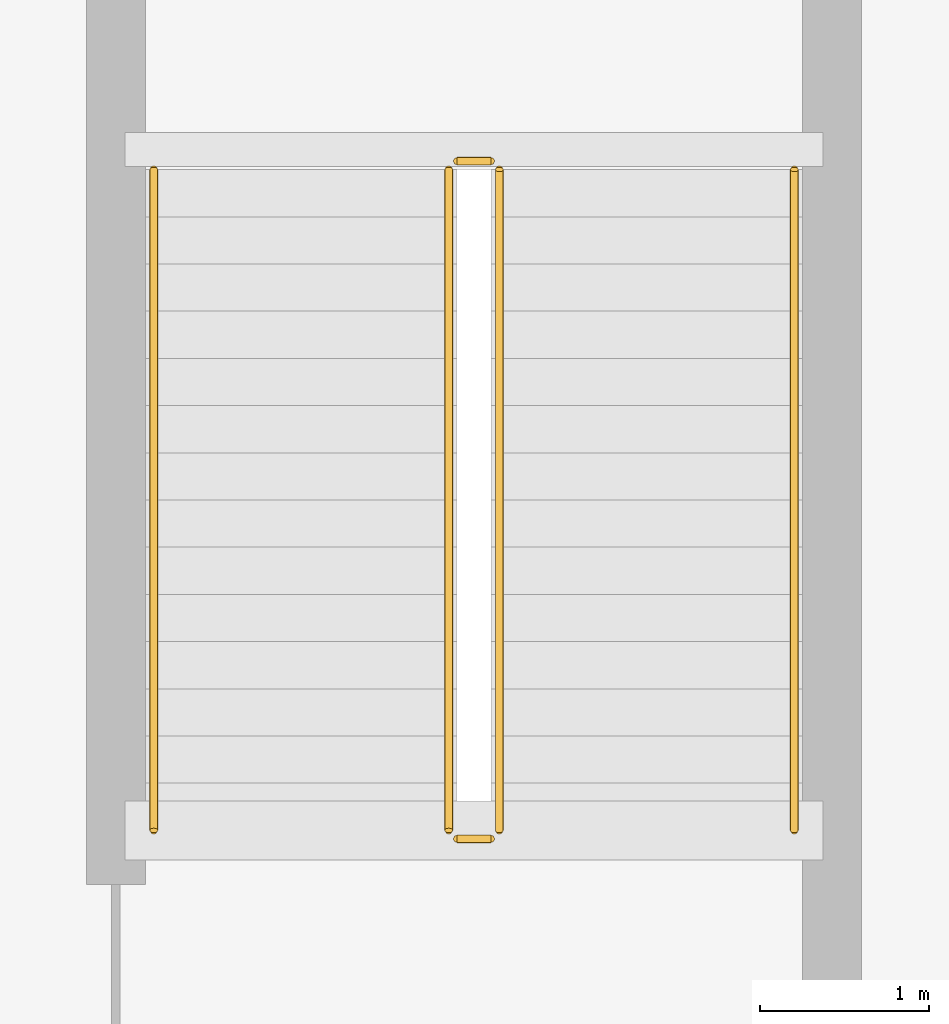
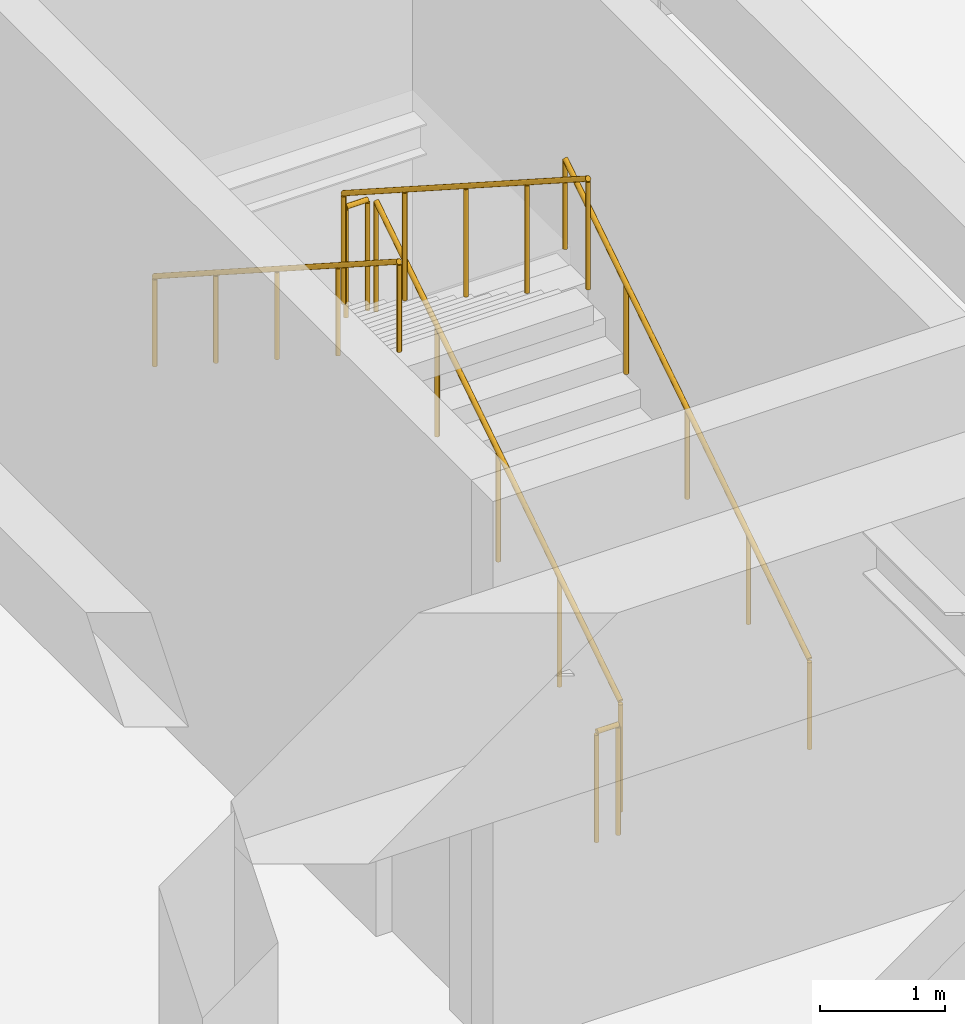
# One storey, part 91 of 91: 6 railings.
"""IFC4 building model written with IfcOpenShell, lengths in metres."""

from ifc_helpers import new_model, si_unit, direction, frame, origin, origin_2d, place, context, subcontext, project, spatial, circle, extrude, material, type_object, element, save


model = new_model("IFC4")

# Units and contexts
model_context = context("Model", 3, precision=1e-05, world=origin(), true_north=direction((0.0, 1.0)))
body_context = subcontext(model_context, "Body", "Model", "MODEL_VIEW")
ifc_project = project(units=[si_unit("LENGTHUNIT", "METRE"), si_unit("AREAUNIT", "SQUARE_METRE"), si_unit("VOLUMEUNIT", "CUBIC_METRE"), si_unit("PLANEANGLEUNIT", "RADIAN"), si_unit("MASSUNIT", "GRAM", prefix="KILO")], contexts=[model_context])

# Site, building, storey
site_placement = place(None, origin())
site = spatial("IfcSite", under=ifc_project, at=site_placement, CompositionType="ELEMENT")
building_placement = place(site_placement, origin())
building = spatial("IfcBuilding", under=site, at=building_placement, Name="Vaelkrest Opera House", CompositionType="ELEMENT")
storey_placement = place(building_placement, origin())
storey = spatial("IfcBuildingStorey", under=building, at=storey_placement, Name="L00", CompositionType="ELEMENT", Elevation=0.0)

# Railings
ifc_material = material(Name="Dark bronze anodized aluminium", Category="aluminium")
railing_type_1 = type_object("IfcRailingType", Name="GR02", PredefinedType="GUARDRAIL", material=ifc_material)
railing_1_placement = place(storey_placement, frame((74.39990234375, -16.550048828125, 0.179931640625)))
element("IfcRailing", 1, at=railing_1_placement, inside=storey, type_object=railing_type_1, Name="L00 ST10 stair guard 1", PredefinedType="GUARDRAIL", context=body_context, shape_type="SweptSolid", body=[
    extrude(circle(Radius=0.02392578125, at=origin_2d()), frame((0.0, 0.0, 1.076171875), z_axis=(0.0, 0.841186985886, 0.540744352514), x_axis=(-1.0, 0.0, 0.0)), (0.0, 0.0, 1.0), 4.660400390625),
    extrude(circle(Radius=0.02099609375, at=origin_2d()), origin(), (0.0, 0.0, 1.0), 1.052001953125),
    extrude(circle(Radius=0.02099609375, at=origin_2d()), frame((0.0, 0.97998046875, 0.6298828125)), (0.0, 0.0, 1.0), 1.052001953125),
    extrude(circle(Radius=0.02099609375, at=origin_2d()), frame((0.0, 1.9599609375, 1.260009765625)), (0.0, 0.0, 1.0), 1.052001953125),
    extrude(circle(Radius=0.02099609375, at=origin_2d()), frame((0.0, 2.940185546875, 1.89013671875)), (0.0, 0.0, 1.0), 1.052001953125),
    extrude(circle(Radius=0.02099609375, at=origin_2d()), frame((0.0, 3.920166015625, 2.52001953125)), (0.0, 0.0, 1.0), 1.052001953125),
])
railing_2_placement = place(storey_placement, frame((74.35009765625, -12.580078125, 2.699951171875)))
element("IfcRailing", 2, at=railing_2_placement, inside=storey, type_object=railing_type_1, Name="L00 ST10 stair guard 2", PredefinedType="GUARDRAIL", context=body_context, shape_type="SweptSolid", body=[
    extrude(circle(Radius=0.02392578125, at=origin_2d()), frame((0.0, 0.0, 1.076171875), z_axis=(-1.0, 0.0, 0.0), x_axis=(0.0, -1.0, 0.0)), (0.0, 0.0, 1.0), 0.2001953125),
    extrude(circle(Radius=0.02099609375, at=origin_2d()), origin(), (0.0, 0.0, 1.0), 1.052001953125),
    extrude(circle(Radius=0.02099609375, at=origin_2d()), frame((-0.2001953125, 0.0, 0.0)), (0.0, 0.0, 1.0), 1.052001953125),
])
railing_3_placement = place(storey_placement, frame((74.10009765625, -12.6298828125, 2.8798828125)))
element("IfcRailing", 3, at=railing_3_placement, inside=storey, type_object=railing_type_1, Name="L00 ST10 stair guard 3", PredefinedType="GUARDRAIL", context=body_context, shape_type="SweptSolid", body=[
    extrude(circle(Radius=0.02392578125, at=origin_2d()), frame((0.0, 0.0, 1.076171875), z_axis=(0.0, -0.841186985886, 0.540744352514), x_axis=(1.0, 0.0, 0.0)), (0.0, 0.0, 1.0), 4.660400390625),
    extrude(circle(Radius=0.02099609375, at=origin_2d()), origin(), (0.0, 0.0, 1.0), 1.052001953125),
    extrude(circle(Radius=0.02099609375, at=origin_2d()), frame((0.0, -0.97998046875, 0.6298828125)), (0.0, 0.0, 1.0), 1.052001953125),
    extrude(circle(Radius=0.02099609375, at=origin_2d()), frame((0.0, -1.9599609375, 1.260009765625)), (0.0, 0.0, 1.0), 1.052001953125),
    extrude(circle(Radius=0.02099609375, at=origin_2d()), frame((0.0, -2.940185546875, 1.89013671875)), (0.0, 0.0, 1.0), 1.052001953125),
    extrude(circle(Radius=0.02099609375, at=origin_2d()), frame((0.0, -3.920166015625, 2.52001953125)), (0.0, 0.0, 1.0), 1.052001953125),
])
railing_4_placement = place(storey_placement, frame((74.35009765625, -16.60009765625, 0.0)))
element("IfcRailing", 4, at=railing_4_placement, inside=storey, type_object=railing_type_1, Name="L00 ST10 stair guard 4", PredefinedType="GUARDRAIL", context=body_context, shape_type="SweptSolid", body=[
    extrude(circle(Radius=0.02392578125, at=origin_2d()), frame((0.0, 0.0, 1.076171875), z_axis=(-1.0, 0.0, 0.0), x_axis=(0.0, -1.0, 0.0)), (0.0, 0.0, 1.0), 0.2001953125),
    extrude(circle(Radius=0.02099609375, at=origin_2d()), origin(), (0.0, 0.0, 1.0), 1.052001953125),
    extrude(circle(Radius=0.02099609375, at=origin_2d()), frame((-0.2001953125, 0.0, 0.0)), (0.0, 0.0, 1.0), 1.052001953125),
])
railing_type_2 = type_object("IfcRailingType", Name="HR02", PredefinedType="HANDRAIL", material=ifc_material)
railing_5_placement = place(storey_placement, frame((76.14990234375, -16.550048828125, 0.179931640625)))
element("IfcRailing", 5, at=railing_5_placement, inside=storey, type_object=railing_type_2, Name="L00 ST10 stair handrail 1", PredefinedType="HANDRAIL", context=body_context, shape_type="SweptSolid", body=[
    extrude(circle(Radius=0.02392578125, at=origin_2d()), frame((0.0, 0.0, 0.8759765625), z_axis=(0.0, 0.841186985886, 0.540744352514), x_axis=(-1.0, 0.0, 0.0)), (0.0, 0.0, 1.0), 4.660400390625),
    extrude(circle(Radius=0.02099609375, at=origin_2d()), origin(), (0.0, 0.0, 1.0), 0.851806640625),
    extrude(circle(Radius=0.02099609375, at=origin_2d()), frame((0.0, 0.97998046875, 0.6298828125)), (0.0, 0.0, 1.0), 0.851806640625),
    extrude(circle(Radius=0.02099609375, at=origin_2d()), frame((0.0, 1.9599609375, 1.260009765625)), (0.0, 0.0, 1.0), 0.851806640625),
    extrude(circle(Radius=0.02099609375, at=origin_2d()), frame((0.0, 2.940185546875, 1.89013671875)), (0.0, 0.0, 1.0), 0.851806640625),
    extrude(circle(Radius=0.02099609375, at=origin_2d()), frame((0.0, 3.920166015625, 2.52001953125)), (0.0, 0.0, 1.0), 0.851806640625),
])
railing_6_placement = place(storey_placement, frame((72.35009765625, -12.6298828125, 2.8798828125)))
element("IfcRailing", 6, at=railing_6_placement, inside=storey, type_object=railing_type_2, Name="L00 ST10 stair handrail 2", PredefinedType="HANDRAIL", context=body_context, shape_type="SweptSolid", body=[
    extrude(circle(Radius=0.02392578125, at=origin_2d()), frame((0.0, 0.0, 0.8759765625), z_axis=(0.0, -0.841186985886, 0.540744352514), x_axis=(1.0, 0.0, 0.0)), (0.0, 0.0, 1.0), 4.660400390625),
    extrude(circle(Radius=0.02099609375, at=origin_2d()), origin(), (0.0, 0.0, 1.0), 0.851806640625),
    extrude(circle(Radius=0.02099609375, at=origin_2d()), frame((0.0, -0.97998046875, 0.6298828125)), (0.0, 0.0, 1.0), 0.851806640625),
    extrude(circle(Radius=0.02099609375, at=origin_2d()), frame((0.0, -1.9599609375, 1.260009765625)), (0.0, 0.0, 1.0), 0.851806640625),
    extrude(circle(Radius=0.02099609375, at=origin_2d()), frame((0.0, -2.940185546875, 1.89013671875)), (0.0, 0.0, 1.0), 0.851806640625),
    extrude(circle(Radius=0.02099609375, at=origin_2d()), frame((0.0, -3.920166015625, 2.52001953125)), (0.0, 0.0, 1.0), 0.851806640625),
])

save(model, "model.ifc")
